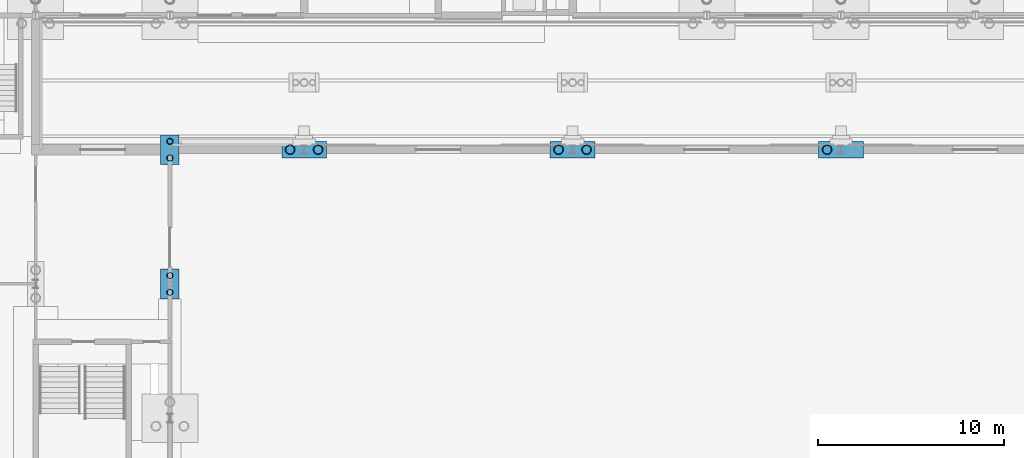
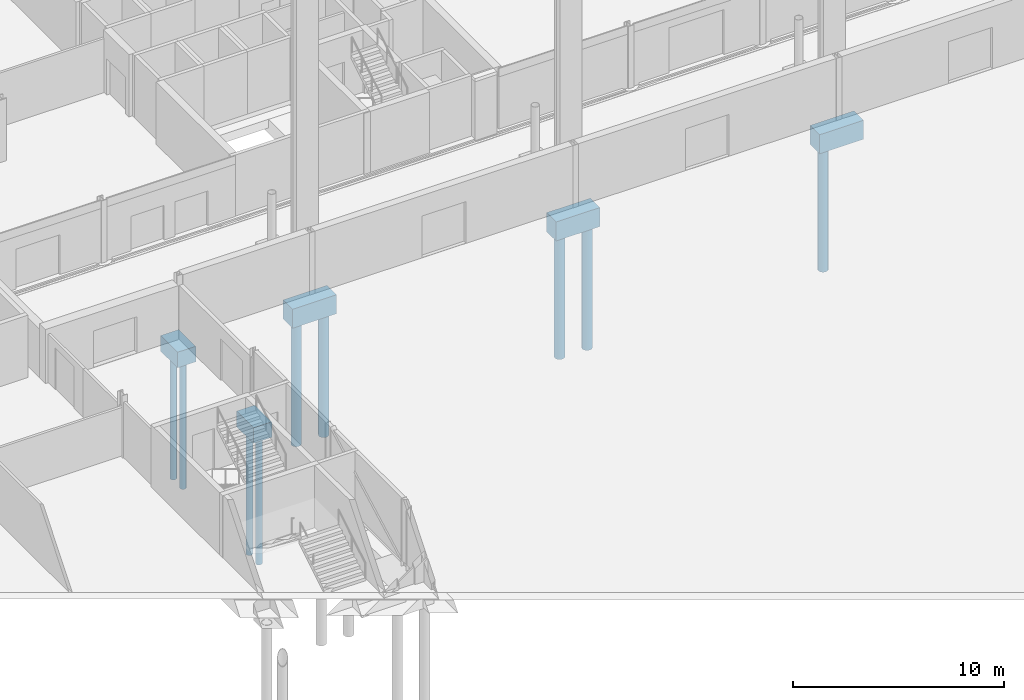
# One storey, part 15 of 148: 9 piles, 5 footings.
"""IFC4 building model written with IfcOpenShell, lengths in metres."""

from ifc_helpers import new_model, si_unit, direction, frame, origin, origin_2d, place, context, subcontext, project, spatial, rectangle, hollow_circle, extrude, material, layer, layer_set, material_profile, profile_set, type_object, element, save


model = new_model("IFC4")

# Units and contexts
model_context = context("Model", 3, precision=1e-05, world=origin(), true_north=direction((0.0, 1.0)))
body_context = subcontext(model_context, "Body", "Model", "MODEL_VIEW")
ifc_project = project(units=[si_unit("LENGTHUNIT", "METRE"), si_unit("AREAUNIT", "SQUARE_METRE"), si_unit("VOLUMEUNIT", "CUBIC_METRE"), si_unit("PLANEANGLEUNIT", "RADIAN"), si_unit("MASSUNIT", "GRAM", prefix="KILO")], contexts=[model_context])

# Site, building, storey
site_placement = place(None, origin())
site = spatial("IfcSite", under=ifc_project, at=site_placement, CompositionType="ELEMENT")
building_placement = place(site_placement, origin())
building = spatial("IfcBuilding", under=site, at=building_placement, Name="Kupolbacken Congress Centre", CompositionType="ELEMENT")
storey_placement = place(building_placement, origin())
storey = spatial("IfcBuildingStorey", under=building, at=storey_placement, Name="L00", CompositionType="ELEMENT", Elevation=0.0)

# Footings
ifc_material_1 = material(Name="Concrete C30/37", Category="concrete")
ifc_layer_1 = layer(ifc_material_1, 1.10009765625)
ifc_layer_set_1 = layer_set([ifc_layer_1], Name="Concrete C30/37")
footing_type_1 = type_object("IfcFootingType", Name="PC2 pile cap 2.40 x 0.90 x 1.10 m", PredefinedType="PILE_CAP", material=ifc_layer_set_1)
for number, where, z_axis, x_axis, name in (
    (1, (93.60009765625, 115.199951171875, -1.400146484375), (0.0, 0.0, 1.0), (1.0, 0.0, 0.0), "S/fnd/C-H-T1N/cap"),
    (2, (108.0, 115.199951171875, -1.400146484375), (0.0, 0.0, 1.0), (1.0, 0.0, 0.0), "S/fnd/C-H-T2N/cap"),
    (3, (122.39990234375, 115.199951171875, -1.400146484375), (0.0, 0.0, 1.0), (1.0, 0.0, 0.0), "S/fnd/C-H-T3N/cap"),
):
    element("IfcFooting", number, at=place(storey_placement, frame(where, z_axis=z_axis, x_axis=x_axis)), inside=storey, type_object=footing_type_1, Name=name, PredefinedType="PILE_CAP", context=body_context, shape_type="SweptSolid", body=[
        extrude(rectangle(XDim=2.39990234375, YDim=0.89990234375, at=origin_2d()), origin(), (0.0, 0.0, 1.0), 1.10009765625),
    ])
ifc_material_2 = material(Name="Concrete C30/37", Category="concrete")
ifc_layer_2 = layer(ifc_material_2, 0.89990234375)
ifc_layer_set_2 = layer_set([ifc_layer_2], Name="Concrete C30/37")
footing_type_2 = type_object("IfcFootingType", Name="PC7 pile cap 1.60 x 1.00 x 0.90 m", PredefinedType="PILE_CAP", material=ifc_layer_set_2)
for number, where, z_axis, x_axis, name in (
    (4, (86.39990234375, 108.0, -1.199951171875), (0.0, 0.0, 1.0), (1.0, 0.0, 0.0), "S/fnd/C-H-PW10/cap"),
    (5, (86.39990234375, 115.199951171875, -1.199951171875), (0.0, 0.0, 1.0), (1.0, 0.0, 0.0), "S/fnd/C-H-PW11/cap"),
):
    element("IfcFooting", number, at=place(storey_placement, frame(where, z_axis=z_axis, x_axis=x_axis)), inside=storey, type_object=footing_type_2, Name=name, PredefinedType="PILE_CAP", context=body_context, shape_type="SweptSolid", body=[
        extrude(rectangle(XDim=1.0, YDim=1.60009765625, at=origin_2d()), origin(), (0.0, 0.0, 1.0), 0.89990234375),
    ])

# Piles
ifc_material_3 = material(Name="Steel S355", Category="steel")
ifc_material_profile_1 = material_profile(ifc_material_3, hollow_circle(Radius=0.161865234375, WallThickness=0.012451171875, at=origin_2d()), Name="CHS 323.9 x 12.5")
ifc_profile_set_1 = profile_set([ifc_material_profile_1], Name="Steel S355")
pile_type_1 = type_object("IfcPileType", Name="PL1 steel tube pile CHS 323.9 x 12.5", PredefinedType="BORED", material=ifc_profile_set_1)
for number, where, z_axis, x_axis, name in (
    (6, (86.39990234375, 107.550048828125, -1.199951171875), (0.0, 0.0, -1.0), (1.0, 0.0, 0.0), "S/fnd/C-H-PW10/pile1"),
    (7, (86.39990234375, 108.449951171875, -1.199951171875), (0.0, 0.0, -1.0), (1.0, 0.0, 0.0), "S/fnd/C-H-PW10/pile2"),
    (8, (86.39990234375, 114.75, -1.199951171875), (0.0, 0.0, -1.0), (1.0, 0.0, 0.0), "S/fnd/C-H-PW11/pile1"),
    (9, (86.39990234375, 115.64990234375, -1.199951171875), (0.0, 0.0, -1.0), (1.0, 0.0, 0.0), "S/fnd/C-H-PW11/pile2"),
):
    element("IfcPile", number, at=place(storey_placement, frame(where, z_axis=z_axis, x_axis=x_axis)), inside=storey, type_object=pile_type_1, Name=name, PredefinedType="BORED", context=body_context, shape_type="SweptSolid", body=[
        extrude(hollow_circle(Radius=0.161865234375, WallThickness=0.012451171875, at=origin_2d()), origin(), (0.0, 0.0, 1.0), 7.300048828125),
    ])
ifc_material_4 = material(Name="Steel S355", Category="steel")
ifc_material_profile_2 = material_profile(ifc_material_4, hollow_circle(Radius=0.25390625, WallThickness=0.02001953125, at=origin_2d()), Name="CHS 508 x 20")
ifc_profile_set_2 = profile_set([ifc_material_profile_2], Name="Steel S355")
pile_type_2 = type_object("IfcPileType", Name="PL3 steel tube pile CHS 508 x 20", PredefinedType="BORED", material=ifc_profile_set_2)
for number, where, z_axis, x_axis, name in (
    (10, (92.85009765625, 115.199951171875, -1.39990234375), (0.0, 0.0, -1.0), (1.0, 0.0, 0.0), "S/fnd/C-H-T1N/pile1"),
    (11, (94.35009765625, 115.199951171875, -1.39990234375), (0.0, 0.0, -1.0), (1.0, 0.0, 0.0), "S/fnd/C-H-T1N/pile2"),
    (12, (107.25, 115.199951171875, -1.39990234375), (0.0, 0.0, -1.0), (1.0, 0.0, 0.0), "S/fnd/C-H-T2N/pile1"),
    (13, (108.75, 115.199951171875, -1.39990234375), (0.0, 0.0, -1.0), (1.0, 0.0, 0.0), "S/fnd/C-H-T2N/pile2"),
    (14, (121.64990234375, 115.199951171875, -1.39990234375), (0.0, 0.0, -1.0), (1.0, 0.0, 0.0), "S/fnd/C-H-T3N/pile1"),
):
    element("IfcPile", number, at=place(storey_placement, frame(where, z_axis=z_axis, x_axis=x_axis)), inside=storey, type_object=pile_type_2, Name=name, PredefinedType="BORED", context=body_context, shape_type="SweptSolid", body=[
        extrude(hollow_circle(Radius=0.25390625, WallThickness=0.02001953125, at=origin_2d()), origin(), (0.0, 0.0, 1.0), 7.10009765625),
    ])

save(model, "model.ifc")
